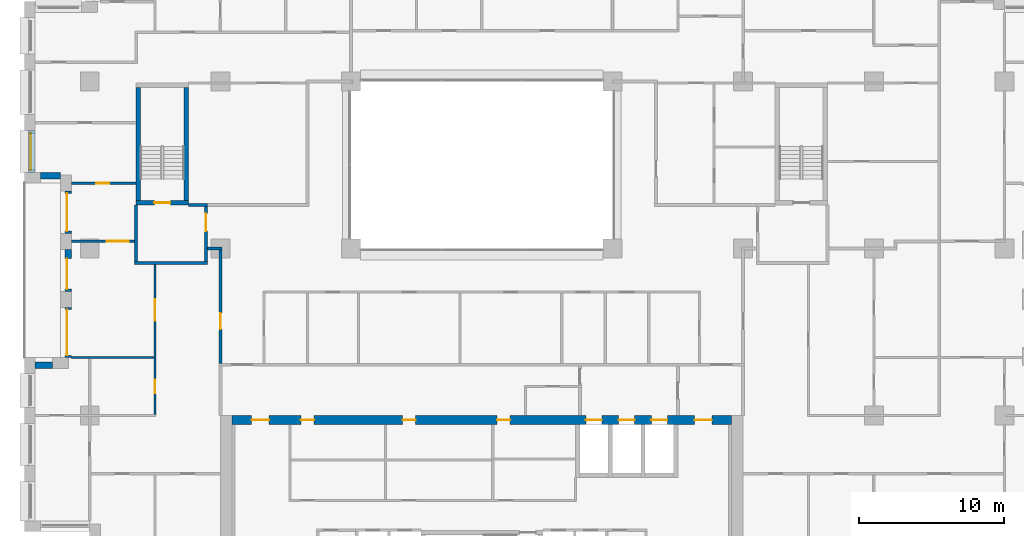
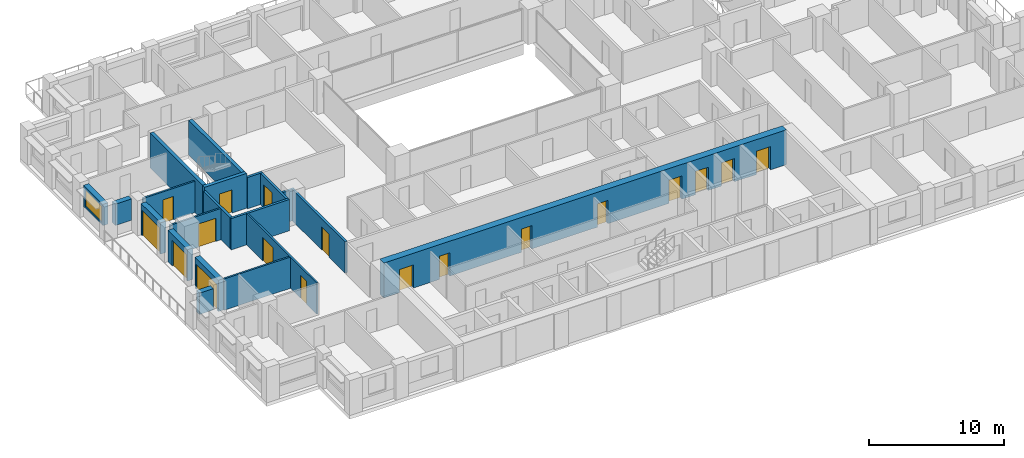
# One storey, part 9 of 16: 20 walls, 18 doors, 1 window, 19 openings.
"""IFC4 building model written with IfcOpenShell, lengths in metres."""

from ifc_helpers import new_model, si_unit, direction, frame, frame_2d, origin, place, context, subcontext, project, spatial, rectangle, extrude, material, layer, layer_set, type_object, element, fill, save


model = new_model("IFC4")

# Units and contexts
model_context = context("Model", 3, precision=1e-05, world=origin(), true_north=direction((0.0, 1.0)))
body_context = subcontext(model_context, "Body", "Model", "MODEL_VIEW")
ifc_project = project(units=[si_unit("LENGTHUNIT", "METRE"), si_unit("AREAUNIT", "SQUARE_METRE"), si_unit("VOLUMEUNIT", "CUBIC_METRE"), si_unit("PLANEANGLEUNIT", "RADIAN"), si_unit("MASSUNIT", "GRAM", prefix="KILO")], contexts=[model_context])

# Site, building, storey
site_placement = place(None, origin())
site = spatial("IfcSite", under=ifc_project, at=site_placement, CompositionType="ELEMENT")
building_placement = place(site_placement, origin())
building = spatial("IfcBuilding", under=site, at=building_placement, Name="Brigalow Station Residences", CompositionType="ELEMENT")
storey_placement = place(building_placement, frame((0.0, 0.0, 124.5)))
storey = spatial("IfcBuildingStorey", under=building, at=storey_placement, Name="L36", CompositionType="ELEMENT", Elevation=124.5)

# Wall, opening, window
ifc_material_1 = material(Name="Clay brick masonry", Category="masonry")
ifc_layer_1 = layer(ifc_material_1, 0.449951171875)
ifc_layer_set_1 = layer_set([ifc_layer_1], Name="BRICK INFILL WALL 450")
wall_type_1 = type_object("IfcWallType", Name="BRICK INFILL WALL 450", PredefinedType="SOLIDWALL", material=ifc_layer_set_1)
wall_1_placement = place(storey_placement, frame((5.02490234375, 32.116943359375, 0.89990234375), z_axis=(0.0, 0.0, 1.0), x_axis=(0.0, -1.0, 0.0)))
wall_1 = element("IfcWall", 1, at=wall_1_placement, inside=storey, type_object=wall_type_1, Name="L36/ewall/W-L36-41", PredefinedType="SOLIDWALL", context=body_context, shape_type="SweptSolid", body=[
    extrude(rectangle(XDim=2.866943359375, YDim=0.449951171875, at=frame_2d((1.43359375, 0.0))), origin(), (0.0, 0.0, 1.0), 1.93017578125),
])
opening_1_placement = place(wall_1_placement, frame((0.18359375, 0.0, 0.14990234375)))
opening_1 = element("IfcOpeningElement", 2, at=opening_1_placement, cuts=wall_1, Name="Opening WT-5", PredefinedType="OPENING", context=body_context, shape_type="SweptSolid", body=[
    extrude(rectangle(XDim=2.5, YDim=1.5, at=frame_2d((1.25, 0.75))), frame((0.0, 0.23486328125, 0.0), z_axis=(0.0, -1.0, 0.0), x_axis=(1.0, 0.0, 0.0)), (0.0, 0.0, 1.0), 0.469970703125),
])
ifc_material_2 = material(Name="Anodised aluminium frame with double glazing", Category="aluminium")
window_type = type_object("IfcWindowType", Name="WINDOW 2500x1500", PartitioningType="SINGLE_PANEL", PredefinedType="WINDOW", material=ifc_material_2)
window_placement = place(opening_1_placement, origin())
window = element("IfcWindow", 3, at=window_placement, inside=storey, type_object=window_type, Name="L36/window/W-L36-41", OverallHeight=1.5, OverallWidth=2.5, PartitioningType="SINGLE_PANEL", PredefinedType="WINDOW", context=body_context, shape_type="SweptSolid", body=[
    extrude(rectangle(XDim=2.5, YDim=1.5, at=frame_2d((1.25, 0.75))), frame((0.0, -0.06494140625, 0.0), z_axis=(0.0, -1.0, 0.0), x_axis=(1.0, 0.0, 0.0)), (0.0, 0.0, 1.0), 0.06005859375),
])
fill(opening_1, window)

# Wall
wall_2_placement = place(storey_placement, frame((5.60009765625, 29.02490234375, 0.89990234375), z_axis=(0.0, 0.0, 1.0), x_axis=(1.0, 0.0, 0.0)))
element("IfcWall", 4, at=wall_2_placement, inside=storey, type_object=wall_type_1, Name="L36/ewall/W-L36-42", PredefinedType="SOLIDWALL", context=body_context, shape_type="SweptSolid", body=[
    extrude(rectangle(XDim=1.39990234375, YDim=0.449951171875, at=frame_2d((0.699951171875, 0.0))), origin(), (0.0, 0.0, 1.0), 1.93017578125),
])

# Wall, opening, door
wall_3_placement = place(storey_placement, frame((7.52490234375, 27.949951171875, 0.0), z_axis=(0.0, 0.0, 1.0), x_axis=(0.0, -1.0, 0.0)))
wall_3 = element("IfcWall", 5, at=wall_3_placement, inside=storey, type_object=wall_type_1, Name="L36/ewall/W-L36-43", PredefinedType="SOLIDWALL", context=body_context, shape_type="SweptSolid", body=[
    extrude(rectangle(XDim=2.89990234375, YDim=0.449951171875, at=frame_2d((1.449951171875, 0.0))), origin(), (0.0, 0.0, 1.0), 2.830078125),
])
opening_2_placement = place(wall_3_placement, frame((0.14990234375, 0.0, 0.0)))
opening_2 = element("IfcOpeningElement", 6, at=opening_2_placement, cuts=wall_3, Name="Opening D-B2600", PredefinedType="OPENING", context=body_context, shape_type="SweptSolid", body=[
    extrude(rectangle(XDim=2.60009765625, YDim=2.300048828125, at=frame_2d((1.300048828125, 1.14990234375))), frame((0.0, 0.23486328125, 0.0), z_axis=(0.0, -1.0, 0.0), x_axis=(1.0, 0.0, 0.0)), (0.0, 0.0, 1.0), 0.469970703125),
])
ifc_material_3 = material(Name="Anodised aluminium frame with double glazing", Category="aluminium")
door_type_1 = type_object("IfcDoorType", Name="BALCONY SLIDING DOOR 2600x2300", OperationType="SLIDING_TO_LEFT", PredefinedType="DOOR", material=ifc_material_3)
door_1_placement = place(opening_2_placement, origin())
door_1 = element("IfcDoor", 7, at=door_1_placement, inside=storey, type_object=door_type_1, Name="L36/balcony-door/W-L36-43", OperationType="SLIDING_TO_LEFT", OverallHeight=2.300048828125, OverallWidth=2.60009765625, PredefinedType="DOOR", context=body_context, shape_type="SweptSolid", body=[
    extrude(rectangle(XDim=2.60009765625, YDim=2.300048828125, at=frame_2d((1.300048828125, 1.14990234375))), frame((0.0, -0.06982421875, 0.0), z_axis=(0.0, -1.0, 0.0), x_axis=(1.0, 0.0, 0.0)), (0.0, 0.0, 1.0), 0.050048828125),
])
fill(opening_2, door_1)

wall_4_placement = place(storey_placement, frame((7.52490234375, 23.949951171875, 0.0), z_axis=(0.0, 0.0, 1.0), x_axis=(0.0, -1.0, 0.0)))
wall_4 = element("IfcWall", 8, at=wall_4_placement, inside=storey, type_object=wall_type_1, Name="L36/ewall/W-L36-44", PredefinedType="SOLIDWALL", context=body_context, shape_type="SweptSolid", body=[
    extrude(rectangle(XDim=2.89990234375, YDim=0.449951171875, at=frame_2d((1.449951171875, 0.0))), origin(), (0.0, 0.0, 1.0), 2.830078125),
])
opening_3_placement = place(wall_4_placement, frame((0.635009765625, 0.0, 0.0)))
opening_3 = element("IfcOpeningElement", 9, at=opening_3_placement, cuts=wall_4, Name="Opening D-B2100", PredefinedType="OPENING", context=body_context, shape_type="SweptSolid", body=[
    extrude(rectangle(XDim=2.10009765625, YDim=2.300048828125, at=frame_2d((1.050048828125, 1.14990234375))), frame((0.0, 0.23486328125, 0.0), z_axis=(0.0, -1.0, 0.0), x_axis=(1.0, 0.0, 0.0)), (0.0, 0.0, 1.0), 0.469970703125),
])
ifc_material_4 = material(Name="Anodised aluminium frame with double glazing", Category="aluminium")
door_type_2 = type_object("IfcDoorType", Name="BALCONY SLIDING DOOR 2100x2300", OperationType="SLIDING_TO_LEFT", PredefinedType="DOOR", material=ifc_material_4)
door_2_placement = place(opening_3_placement, origin())
door_2 = element("IfcDoor", 10, at=door_2_placement, inside=storey, type_object=door_type_2, Name="L36/balcony-door/W-L36-44", OperationType="SLIDING_TO_LEFT", OverallHeight=2.300048828125, OverallWidth=2.10009765625, PredefinedType="DOOR", context=body_context, shape_type="SweptSolid", body=[
    extrude(rectangle(XDim=2.10009765625, YDim=2.300048828125, at=frame_2d((1.050048828125, 1.14990234375))), frame((0.0, -0.06982421875, 0.0), z_axis=(0.0, -1.0, 0.0), x_axis=(1.0, 0.0, 0.0)), (0.0, 0.0, 1.0), 0.050048828125),
])
fill(opening_3, door_2)

wall_5_placement = place(storey_placement, frame((7.52490234375, 19.949951171875, 0.0), z_axis=(0.0, 0.0, 1.0), x_axis=(0.0, -1.0, 0.0)))
wall_5 = element("IfcWall", 11, at=wall_5_placement, inside=storey, type_object=wall_type_1, Name="L36/ewall/W-L36-45", PredefinedType="SOLIDWALL", context=body_context, shape_type="SweptSolid", body=[
    extrude(rectangle(XDim=3.449951171875, YDim=0.449951171875, at=frame_2d((1.72509765625, 0.0))), origin(), (0.0, 0.0, 1.0), 2.830078125),
])
opening_4_placement = place(wall_5_placement, frame((0.14990234375, 0.0, 0.0)))
opening_4 = element("IfcOpeningElement", 12, at=opening_4_placement, cuts=wall_5, Name="Opening D-B3150", PredefinedType="OPENING", context=body_context, shape_type="SweptSolid", body=[
    extrude(rectangle(XDim=3.14990234375, YDim=2.300048828125, at=frame_2d((1.574951171875, 1.14990234375))), frame((0.0, 0.23486328125, 0.0), z_axis=(0.0, -1.0, 0.0), x_axis=(1.0, 0.0, 0.0)), (0.0, 0.0, 1.0), 0.469970703125),
])
ifc_material_5 = material(Name="Anodised aluminium frame with double glazing", Category="aluminium")
door_type_3 = type_object("IfcDoorType", Name="BALCONY SLIDING DOOR 3150x2300", OperationType="SLIDING_TO_LEFT", PredefinedType="DOOR", material=ifc_material_5)
door_3_placement = place(opening_4_placement, origin())
door_3 = element("IfcDoor", 13, at=door_3_placement, inside=storey, type_object=door_type_3, Name="L36/balcony-door/W-L36-45", OperationType="SLIDING_TO_LEFT", OverallHeight=2.300048828125, OverallWidth=3.14990234375, PredefinedType="DOOR", context=body_context, shape_type="SweptSolid", body=[
    extrude(rectangle(XDim=3.14990234375, YDim=2.300048828125, at=frame_2d((1.574951171875, 1.14990234375))), frame((0.0, -0.06982421875, 0.0), z_axis=(0.0, -1.0, 0.0), x_axis=(1.0, 0.0, 0.0)), (0.0, 0.0, 1.0), 0.050048828125),
])
fill(opening_4, door_3)

# Wall
wall_6_placement = place(storey_placement, frame((6.449951171875, 15.97509765625, 0.89990234375), z_axis=(0.0, 0.0, 1.0), x_axis=(-1.0, 0.0, 0.0)))
element("IfcWall", 14, at=wall_6_placement, inside=storey, type_object=wall_type_1, Name="L36/ewall/W-L36-46", PredefinedType="SOLIDWALL", context=body_context, shape_type="SweptSolid", body=[
    extrude(rectangle(XDim=1.199951171875, YDim=0.449951171875, at=frame_2d((0.60009765625, 0.0))), origin(), (0.0, 0.0, 1.0), 1.93017578125),
])

# Wall, opening, door
ifc_material_6 = material(Name="Concrete C65", Category="concrete")
ifc_layer_2 = layer(ifc_material_6, 0.300048828125)
ifc_layer_set_2 = layer_set([ifc_layer_2], Name="CORE SHEAR WALL 300 C65")
wall_type_2 = type_object("IfcWallType", Name="CORE SHEAR WALL 300 C65", PredefinedType="SHEAR", material=ifc_layer_set_2)
wall_7_placement = place(storey_placement, frame((12.199951171875, 27.14990234375, 0.0), z_axis=(0.0, 0.0, 1.0), x_axis=(1.0, 0.0, 0.0)))
wall_7 = element("IfcWall", 15, at=wall_7_placement, inside=storey, type_object=wall_type_2, Name="CORE WALL ST-S1-S L36", PredefinedType="SHEAR", context=body_context, shape_type="SweptSolid", body=[
    extrude(rectangle(XDim=3.60009765625, YDim=0.300048828125, at=frame_2d((1.800048828125, 0.0))), origin(), (0.0, 0.0, 1.0), 3.14990234375),
])
opening_5_placement = place(wall_7_placement, frame((1.25, 0.0, 0.0)))
opening_5 = element("IfcOpeningElement", 16, at=opening_5_placement, cuts=wall_7, Name="Opening D-5015", PredefinedType="OPENING", context=body_context, shape_type="SweptSolid", body=[
    extrude(rectangle(XDim=1.10009765625, YDim=2.10009765625, at=frame_2d((0.550048828125, 1.050048828125))), frame((0.0, 0.16015625, 0.0), z_axis=(0.0, -1.0, 0.0), x_axis=(1.0, 0.0, 0.0)), (0.0, 0.0, 1.0), 0.320068359375),
])
ifc_material_7 = material(Name="Steel fire door leaf in steel frame", Category="steel")
door_type_4 = type_object("IfcDoorType", Name="STAIR DOOR 1100 x 2100 FD60S", OperationType="SINGLE_SWING_LEFT", PredefinedType="DOOR", material=ifc_material_7)
door_4_placement = place(opening_5_placement, origin())
door_4 = element("IfcDoor", 17, at=door_4_placement, inside=storey, type_object=door_type_4, Name="D-5015", OperationType="SINGLE_SWING_LEFT", OverallHeight=2.10009765625, OverallWidth=1.10009765625, PredefinedType="DOOR", context=body_context, shape_type="SweptSolid", body=[
    extrude(rectangle(XDim=1.10009765625, YDim=2.10009765625, at=frame_2d((0.550048828125, 1.050048828125))), frame((0.0, 0.02490234375, 0.0), z_axis=(0.0, -1.0, 0.0), x_axis=(1.0, 0.0, 0.0)), (0.0, 0.0, 1.0), 0.050048828125),
])
fill(opening_5, door_4)

# Walls
for number, where, z_axis, x_axis, name in (
    (18, (12.35009765625, 27.300048828125, 0.0), (0.0, 0.0, 1.0), (0.0, 1.0, 0.0), "CORE WALL ST-S1-W L36"),
    (19, (15.64990234375, 27.300048828125, 0.0), (0.0, 0.0, 1.0), (0.0, 1.0, 0.0), "CORE WALL ST-S1-E L36"),
):
    element("IfcWall", number, at=place(storey_placement, frame(where, z_axis=z_axis, x_axis=x_axis)), inside=storey, type_object=wall_type_2, Name=name, PredefinedType="SHEAR", context=body_context, shape_type="SweptSolid", body=[
        extrude(rectangle(XDim=7.800048828125, YDim=0.300048828125, at=frame_2d((3.89990234375, 0.0))), origin(), (0.0, 0.0, 1.0), 3.14990234375),
    ])

# Wall, openings, doors
ifc_material_8 = material(Name="Concrete C65", Category="concrete")
ifc_layer_3 = layer(ifc_material_8, 0.60009765625)
ifc_layer_set_3 = layer_set([ifc_layer_3], Name="CORE SHEAR WALL 600 C65")
wall_type_3 = type_object("IfcWallType", Name="CORE SHEAR WALL 600 C65", PredefinedType="SHEAR", material=ifc_layer_set_3)
wall_8_placement = place(storey_placement, frame((18.800048828125, 12.199951171875, 0.0), z_axis=(0.0, 0.0, 1.0), x_axis=(1.0, 0.0, 0.0)))
wall_8 = element("IfcWall", 20, at=wall_8_placement, inside=storey, type_object=wall_type_3, Name="CORE WALL OUT-N L36", PredefinedType="SHEAR", context=body_context, shape_type="SweptSolid", body=[
    extrude(rectangle(XDim=34.39990234375, YDim=0.60009765625, at=frame_2d((17.199951171875, 0.0))), origin(), (0.0, 0.0, 1.0), 3.14990234375),
])
opening_6_placement = place(wall_8_placement, frame((24.375, 0.0, 0.0)))
opening_6 = element("IfcOpeningElement", 21, at=opening_6_placement, cuts=wall_8, Name="Opening LD-LF1", PredefinedType="OPENING", context=body_context, shape_type="SweptSolid", body=[
    extrude(rectangle(XDim=1.10009765625, YDim=2.10009765625, at=frame_2d((0.550048828125, 1.050048828125))), frame((0.0, 0.31005859375, 0.0), z_axis=(0.0, -1.0, 0.0), x_axis=(1.0, 0.0, 0.0)), (0.0, 0.0, 1.0), 0.6201171875),
])
opening_7_placement = place(wall_8_placement, frame((26.625, 0.0, 0.0)))
opening_7 = element("IfcOpeningElement", 22, at=opening_7_placement, cuts=wall_8, Name="Opening LD-LF2", PredefinedType="OPENING", context=body_context, shape_type="SweptSolid", body=[
    extrude(rectangle(XDim=1.10009765625, YDim=2.10009765625, at=frame_2d((0.550048828125, 1.050048828125))), frame((0.0, 0.31005859375, 0.0), z_axis=(0.0, -1.0, 0.0), x_axis=(1.0, 0.0, 0.0)), (0.0, 0.0, 1.0), 0.6201171875),
])
opening_8_placement = place(wall_8_placement, frame((28.875, 0.0, 0.0)))
opening_8 = element("IfcOpeningElement", 23, at=opening_8_placement, cuts=wall_8, Name="Opening LD-LG1", PredefinedType="OPENING", context=body_context, shape_type="SweptSolid", body=[
    extrude(rectangle(XDim=1.10009765625, YDim=2.10009765625, at=frame_2d((0.550048828125, 1.050048828125))), frame((0.0, 0.31005859375, 0.0), z_axis=(0.0, -1.0, 0.0), x_axis=(1.0, 0.0, 0.0)), (0.0, 0.0, 1.0), 0.6201171875),
])
opening_9_placement = place(wall_8_placement, frame((4.75, 0.0, 0.0)))
opening_9 = element("IfcOpeningElement", 24, at=opening_9_placement, cuts=wall_8, Name="Opening D-5118", PredefinedType="OPENING", context=body_context, shape_type="SweptSolid", body=[
    extrude(rectangle(XDim=0.89990234375, YDim=2.10009765625, at=frame_2d((0.449951171875, 1.050048828125))), frame((0.0, 0.31005859375, 0.0), z_axis=(0.0, -1.0, 0.0), x_axis=(1.0, 0.0, 0.0)), (0.0, 0.0, 1.0), 0.6201171875),
])
opening_10_placement = place(wall_8_placement, frame((11.75, 0.0, 0.0)))
opening_10 = element("IfcOpeningElement", 25, at=opening_10_placement, cuts=wall_8, Name="Opening D-5122", PredefinedType="OPENING", context=body_context, shape_type="SweptSolid", body=[
    extrude(rectangle(XDim=0.89990234375, YDim=2.10009765625, at=frame_2d((0.449951171875, 1.050048828125))), frame((0.0, 0.31005859375, 0.0), z_axis=(0.0, -1.0, 0.0), x_axis=(1.0, 0.0, 0.0)), (0.0, 0.0, 1.0), 0.6201171875),
])
opening_11_placement = place(wall_8_placement, frame((18.25, 0.0, 0.0)))
opening_11 = element("IfcOpeningElement", 26, at=opening_11_placement, cuts=wall_8, Name="Opening D-5119", PredefinedType="OPENING", context=body_context, shape_type="SweptSolid", body=[
    extrude(rectangle(XDim=0.89990234375, YDim=2.10009765625, at=frame_2d((0.449951171875, 1.050048828125))), frame((0.0, 0.31005859375, 0.0), z_axis=(0.0, -1.0, 0.0), x_axis=(1.0, 0.0, 0.0)), (0.0, 0.0, 1.0), 0.6201171875),
])
opening_12_placement = place(wall_8_placement, frame((1.35009765625, 0.0, 0.0)))
opening_12 = element("IfcOpeningElement", 27, at=opening_12_placement, cuts=wall_8, Name="Opening D-5011", PredefinedType="OPENING", context=body_context, shape_type="SweptSolid", body=[
    extrude(rectangle(XDim=1.199951171875, YDim=2.10009765625, at=frame_2d((0.60009765625, 1.050048828125))), frame((0.0, 0.31005859375, 0.0), z_axis=(0.0, -1.0, 0.0), x_axis=(1.0, 0.0, 0.0)), (0.0, 0.0, 1.0), 0.6201171875),
])
opening_13_placement = place(wall_8_placement, frame((31.85009765625, 0.0, 0.0)))
opening_13 = element("IfcOpeningElement", 28, at=opening_13_placement, cuts=wall_8, Name="Opening D-5012", PredefinedType="OPENING", context=body_context, shape_type="SweptSolid", body=[
    extrude(rectangle(XDim=1.199951171875, YDim=2.10009765625, at=frame_2d((0.60009765625, 1.050048828125))), frame((0.0, 0.31005859375, 0.0), z_axis=(0.0, -1.0, 0.0), x_axis=(1.0, 0.0, 0.0)), (0.0, 0.0, 1.0), 0.6201171875),
])
ifc_material_9 = material(Name="Steel fire door leaf in steel frame", Category="steel")
door_type_5 = type_object("IfcDoorType", Name="CORE CORRIDOR DOOR 1200 x 2100 FD60S", OperationType="SINGLE_SWING_LEFT", PredefinedType="DOOR", material=ifc_material_9)
door_5_placement = place(opening_12_placement, frame((1.199951171875, 0.0, 0.0), z_axis=(0.0, 0.0, 1.0), x_axis=(-1.0, 0.0, 0.0)))
door_5 = element("IfcDoor", 29, at=door_5_placement, inside=storey, type_object=door_type_5, Name="D-5011", OperationType="SINGLE_SWING_LEFT", OverallHeight=2.10009765625, OverallWidth=1.199951171875, PredefinedType="DOOR", context=body_context, shape_type="SweptSolid", body=[
    extrude(rectangle(XDim=1.199951171875, YDim=2.10009765625, at=frame_2d((0.60009765625, 1.050048828125))), frame((0.0, 0.02490234375, 0.0), z_axis=(0.0, -1.0, 0.0), x_axis=(1.0, 0.0, 0.0)), (0.0, 0.0, 1.0), 0.050048828125),
])
fill(opening_12, door_5)
door_6_placement = place(opening_13_placement, frame((1.199951171875, 0.0, 0.0), z_axis=(0.0, 0.0, 1.0), x_axis=(-1.0, 0.0, 0.0)))
door_6 = element("IfcDoor", 30, at=door_6_placement, inside=storey, type_object=door_type_5, Name="D-5012", OperationType="SINGLE_SWING_LEFT", OverallHeight=2.10009765625, OverallWidth=1.199951171875, PredefinedType="DOOR", context=body_context, shape_type="SweptSolid", body=[
    extrude(rectangle(XDim=1.199951171875, YDim=2.10009765625, at=frame_2d((0.60009765625, 1.050048828125))), frame((0.0, 0.02490234375, 0.0), z_axis=(0.0, -1.0, 0.0), x_axis=(1.0, 0.0, 0.0)), (0.0, 0.0, 1.0), 0.050048828125),
])
fill(opening_13, door_6)
ifc_material_10 = material(Name="Stainless steel sliding door leaves", Category="steel")
door_type_6 = type_object("IfcDoorType", Name="LIFT LANDING DOOR 1100 x 2100", OperationType="DOUBLE_DOOR_SLIDING", PredefinedType="DOOR", material=ifc_material_10)
door_7_placement = place(opening_6_placement, origin())
door_7 = element("IfcDoor", 31, at=door_7_placement, inside=storey, type_object=door_type_6, Name="LANDING DOOR LF1", OperationType="DOUBLE_DOOR_SLIDING", OverallHeight=2.10009765625, OverallWidth=1.10009765625, PredefinedType="DOOR", context=body_context, shape_type="SweptSolid", body=[
    extrude(rectangle(XDim=1.10009765625, YDim=2.10009765625, at=frame_2d((0.550048828125, 1.050048828125))), frame((0.0, 0.02490234375, 0.0), z_axis=(0.0, -1.0, 0.0), x_axis=(1.0, 0.0, 0.0)), (0.0, 0.0, 1.0), 0.050048828125),
])
fill(opening_6, door_7)
door_8_placement = place(opening_7_placement, origin())
door_8 = element("IfcDoor", 32, at=door_8_placement, inside=storey, type_object=door_type_6, Name="LANDING DOOR LF2", OperationType="DOUBLE_DOOR_SLIDING", OverallHeight=2.10009765625, OverallWidth=1.10009765625, PredefinedType="DOOR", context=body_context, shape_type="SweptSolid", body=[
    extrude(rectangle(XDim=1.10009765625, YDim=2.10009765625, at=frame_2d((0.550048828125, 1.050048828125))), frame((0.0, 0.02490234375, 0.0), z_axis=(0.0, -1.0, 0.0), x_axis=(1.0, 0.0, 0.0)), (0.0, 0.0, 1.0), 0.050048828125),
])
fill(opening_7, door_8)
door_9_placement = place(opening_8_placement, origin())
door_9 = element("IfcDoor", 33, at=door_9_placement, inside=storey, type_object=door_type_6, Name="LANDING DOOR LG1", OperationType="DOUBLE_DOOR_SLIDING", OverallHeight=2.10009765625, OverallWidth=1.10009765625, PredefinedType="DOOR", context=body_context, shape_type="SweptSolid", body=[
    extrude(rectangle(XDim=1.10009765625, YDim=2.10009765625, at=frame_2d((0.550048828125, 1.050048828125))), frame((0.0, 0.02490234375, 0.0), z_axis=(0.0, -1.0, 0.0), x_axis=(1.0, 0.0, 0.0)), (0.0, 0.0, 1.0), 0.050048828125),
])
fill(opening_8, door_9)
ifc_material_11 = material(Name="Steel door leaf in steel frame", Category="steel")
door_type_7 = type_object("IfcDoorType", Name="SERVICE ROOM DOOR 900 x 2100 FD60", OperationType="SINGLE_SWING_LEFT", PredefinedType="DOOR", material=ifc_material_11)
door_10_placement = place(opening_9_placement, frame((0.89990234375, 0.0, 0.0), z_axis=(0.0, 0.0, 1.0), x_axis=(-1.0, 0.0, 0.0)))
door_10 = element("IfcDoor", 34, at=door_10_placement, inside=storey, type_object=door_type_7, Name="D-5118", OperationType="SINGLE_SWING_RIGHT", OverallHeight=2.10009765625, OverallWidth=0.89990234375, PredefinedType="DOOR", context=body_context, shape_type="SweptSolid", body=[
    extrude(rectangle(XDim=0.89990234375, YDim=2.10009765625, at=frame_2d((0.449951171875, 1.050048828125))), frame((0.0, 0.02490234375, 0.0), z_axis=(0.0, -1.0, 0.0), x_axis=(1.0, 0.0, 0.0)), (0.0, 0.0, 1.0), 0.050048828125),
])
fill(opening_9, door_10)
door_11_placement = place(opening_10_placement, frame((0.89990234375, 0.0, 0.0), z_axis=(0.0, 0.0, 1.0), x_axis=(-1.0, 0.0, 0.0)))
door_11 = element("IfcDoor", 35, at=door_11_placement, inside=storey, type_object=door_type_7, Name="D-5122", OperationType="SINGLE_SWING_RIGHT", OverallHeight=2.10009765625, OverallWidth=0.89990234375, PredefinedType="DOOR", context=body_context, shape_type="SweptSolid", body=[
    extrude(rectangle(XDim=0.89990234375, YDim=2.10009765625, at=frame_2d((0.449951171875, 1.050048828125))), frame((0.0, 0.02490234375, 0.0), z_axis=(0.0, -1.0, 0.0), x_axis=(1.0, 0.0, 0.0)), (0.0, 0.0, 1.0), 0.050048828125),
])
fill(opening_10, door_11)
door_12_placement = place(opening_11_placement, frame((0.89990234375, 0.0, 0.0), z_axis=(0.0, 0.0, 1.0), x_axis=(-1.0, 0.0, 0.0)))
door_12 = element("IfcDoor", 36, at=door_12_placement, inside=storey, type_object=door_type_7, Name="D-5119", OperationType="SINGLE_SWING_RIGHT", OverallHeight=2.10009765625, OverallWidth=0.89990234375, PredefinedType="DOOR", context=body_context, shape_type="SweptSolid", body=[
    extrude(rectangle(XDim=0.89990234375, YDim=2.10009765625, at=frame_2d((0.449951171875, 1.050048828125))), frame((0.0, 0.02490234375, 0.0), z_axis=(0.0, -1.0, 0.0), x_axis=(1.0, 0.0, 0.0)), (0.0, 0.0, 1.0), 0.050048828125),
])
fill(opening_11, door_12)

# Walls
ifc_material_12 = material(Name="Concrete blockwork", Category="masonry")
ifc_layer_4 = layer(ifc_material_12, 0.199951171875)
ifc_layer_set_4 = layer_set([ifc_layer_4], Name="FIRE RATED CORE PARTITION 200")
wall_type_4 = type_object("IfcWallType", Name="FIRE RATED CORE PARTITION 200", PredefinedType="PARTITIONING", material=ifc_layer_set_4)
wall_9_placement = place(storey_placement, frame((12.10009765625, 23.0, 0.0), z_axis=(0.0, 0.0, 1.0), x_axis=(1.0, 0.0, 0.0)))
element("IfcWall", 37, at=wall_9_placement, inside=storey, type_object=wall_type_4, Name="PW-5023", PredefinedType="PARTITIONING", context=body_context, shape_type="SweptSolid", body=[
    extrude(rectangle(XDim=5.0, YDim=0.199951171875, at=frame_2d((2.5, 0.0))), origin(), (0.0, 0.0, 1.0), 2.830078125),
])
wall_10_placement = place(storey_placement, frame((15.800048828125, 27.0, 0.0), z_axis=(0.0, 0.0, 1.0), x_axis=(1.0, 0.0, 0.0)))
element("IfcWall", 38, at=wall_10_placement, inside=storey, type_object=wall_type_4, Name="PW-5025", PredefinedType="PARTITIONING", context=body_context, shape_type="SweptSolid", body=[
    extrude(rectangle(XDim=1.300048828125, YDim=0.199951171875, at=frame_2d((0.64990234375, 0.0))), origin(), (0.0, 0.0, 1.0), 2.830078125),
])
wall_11_placement = place(storey_placement, frame((12.199951171875, 23.10009765625, 0.0), z_axis=(0.0, 0.0, 1.0), x_axis=(0.0, 1.0, 0.0)))
element("IfcWall", 39, at=wall_11_placement, inside=storey, type_object=wall_type_4, Name="PW-5034", PredefinedType="PARTITIONING", context=body_context, shape_type="SweptSolid", body=[
    extrude(rectangle(XDim=3.89990234375, YDim=0.199951171875, at=frame_2d((1.949951171875, 0.0))), origin(), (0.0, 0.0, 1.0), 2.830078125),
])

# Wall, opening, door
wall_12_placement = place(storey_placement, frame((17.0, 23.10009765625, 0.0), z_axis=(0.0, 0.0, 1.0), x_axis=(0.0, 1.0, 0.0)))
wall_12 = element("IfcWall", 40, at=wall_12_placement, inside=storey, type_object=wall_type_4, Name="PW-5035", PredefinedType="PARTITIONING", context=body_context, shape_type="SweptSolid", body=[
    extrude(rectangle(XDim=3.7998046875, YDim=0.199951171875, at=frame_2d((1.89990234375, 0.0))), origin(), (0.0, 0.0, 1.0), 2.830078125),
])
opening_14_placement = place(wall_12_placement, frame((2.10009765625, 0.0, 0.0)))
opening_14 = element("IfcOpeningElement", 41, at=opening_14_placement, cuts=wall_12, Name="Opening D-5016", PredefinedType="OPENING", context=body_context, shape_type="SweptSolid", body=[
    extrude(rectangle(XDim=1.199951171875, YDim=2.10009765625, at=frame_2d((0.60009765625, 1.050048828125))), frame((0.0, 0.10986328125, 0.0), z_axis=(0.0, -1.0, 0.0), x_axis=(1.0, 0.0, 0.0)), (0.0, 0.0, 1.0), 0.219970703125),
])
ifc_material_13 = material(Name="Steel fire door leaf in steel frame", Category="steel")
door_type_8 = type_object("IfcDoorType", Name="STAIR LOBBY DOOR 1200 x 2100 FD60S", OperationType="SINGLE_SWING_LEFT", PredefinedType="DOOR", material=ifc_material_13)
door_13_placement = place(opening_14_placement, origin())
door_13 = element("IfcDoor", 42, at=door_13_placement, inside=storey, type_object=door_type_8, Name="D-5016", OperationType="SINGLE_SWING_RIGHT", OverallHeight=2.10009765625, OverallWidth=1.199951171875, PredefinedType="DOOR", context=body_context, shape_type="SweptSolid", body=[
    extrude(rectangle(XDim=1.199951171875, YDim=2.10009765625, at=frame_2d((0.60009765625, 1.050048828125))), frame((0.0, 0.02490234375, 0.0), z_axis=(0.0, -1.0, 0.0), x_axis=(1.0, 0.0, 0.0)), (0.0, 0.0, 1.0), 0.050048828125),
])
fill(opening_14, door_13)

# Wall
ifc_material_14 = material(Name="Plasterboard on steel stud partition", Category="steel")
ifc_layer_5 = layer(ifc_material_14, 0.14990234375)
ifc_layer_set_5 = layer_set([ifc_layer_5], Name="FLAT PARTITION 150")
wall_type_5 = type_object("IfcWallType", Name="FLAT PARTITION 150", PredefinedType="PARTITIONING", material=ifc_layer_set_5)
wall_13_placement = place(storey_placement, frame((7.75, 16.5, 0.0), z_axis=(0.0, 0.0, 1.0), x_axis=(1.0, 0.0, 0.0)))
element("IfcWall", 43, at=wall_13_placement, inside=storey, type_object=wall_type_5, Name="PW-2F13", PredefinedType="PARTITIONING", context=body_context, shape_type="SweptSolid", body=[
    extrude(rectangle(XDim=5.675048828125, YDim=0.14990234375, at=frame_2d((2.83740234375, 0.0))), origin(), (0.0, 0.0, 1.0), 2.830078125),
])

# Wall, opening, door
wall_14_placement = place(storey_placement, frame((7.75, 24.5, 0.0), z_axis=(0.0, 0.0, 1.0), x_axis=(1.0, 0.0, 0.0)))
wall_14 = element("IfcWall", 44, at=wall_14_placement, inside=storey, type_object=wall_type_5, Name="PW-2F17", PredefinedType="PARTITIONING", context=body_context, shape_type="SweptSolid", body=[
    extrude(rectangle(XDim=4.35009765625, YDim=0.14990234375, at=frame_2d((2.175048828125, 0.0))), origin(), (0.0, 0.0, 1.0), 2.830078125),
])
opening_15_placement = place(wall_14_placement, frame((2.425048828125, 0.0, 0.0)))
opening_15 = element("IfcOpeningElement", 45, at=opening_15_placement, cuts=wall_14, Name="Opening D-2F10", PredefinedType="OPENING", context=body_context, shape_type="SweptSolid", body=[
    extrude(rectangle(XDim=1.5, YDim=2.10009765625, at=frame_2d((0.75, 1.050048828125))), frame((0.0, 0.0849609375, 0.0), z_axis=(0.0, -1.0, 0.0), x_axis=(1.0, 0.0, 0.0)), (0.0, 0.0, 1.0), 0.169921875),
])
ifc_material_15 = material(Name="Solid-core timber door leaf", Category="wood")
door_type_9 = type_object("IfcDoorType", Name="INTERNAL DOUBLE DOOR 1500 x 2100", OperationType="DOUBLE_DOOR_SINGLE_SWING", PredefinedType="DOOR", material=ifc_material_15)
door_14_placement = place(opening_15_placement, origin())
door_14 = element("IfcDoor", 46, at=door_14_placement, inside=storey, type_object=door_type_9, Name="D-2F10", OperationType="DOUBLE_DOOR_SINGLE_SWING", OverallHeight=2.10009765625, OverallWidth=1.5, PredefinedType="DOOR", context=body_context, shape_type="SweptSolid", body=[
    extrude(rectangle(XDim=1.5, YDim=2.10009765625, at=frame_2d((0.75, 1.050048828125))), frame((0.0, 0.02490234375, 0.0), z_axis=(0.0, -1.0, 0.0), x_axis=(1.0, 0.0, 0.0)), (0.0, 0.0, 1.0), 0.050048828125),
])
fill(opening_15, door_14)

wall_15_placement = place(storey_placement, frame((7.75, 28.5, 0.0), z_axis=(0.0, 0.0, 1.0), x_axis=(1.0, 0.0, 0.0)))
wall_15 = element("IfcWall", 47, at=wall_15_placement, inside=storey, type_object=wall_type_5, Name="PW-2F20", PredefinedType="PARTITIONING", context=body_context, shape_type="SweptSolid", body=[
    extrude(rectangle(XDim=4.449951171875, YDim=0.14990234375, at=frame_2d((2.22509765625, 0.0))), origin(), (0.0, 0.0, 1.0), 2.830078125),
])
opening_16_placement = place(wall_15_placement, frame((1.699951171875, 0.0, 0.0)))
opening_16 = element("IfcOpeningElement", 48, at=opening_16_placement, cuts=wall_15, Name="Opening D-2F11", PredefinedType="OPENING", context=body_context, shape_type="SweptSolid", body=[
    extrude(rectangle(XDim=0.89990234375, YDim=2.10009765625, at=frame_2d((0.449951171875, 1.050048828125))), frame((0.0, 0.0849609375, 0.0), z_axis=(0.0, -1.0, 0.0), x_axis=(1.0, 0.0, 0.0)), (0.0, 0.0, 1.0), 0.169921875),
])
ifc_material_16 = material(Name="Solid-core timber door leaf", Category="wood")
door_type_10 = type_object("IfcDoorType", Name="INTERNAL DOOR 900 x 2100", OperationType="SINGLE_SWING_LEFT", PredefinedType="DOOR", material=ifc_material_16)
door_15_placement = place(opening_16_placement, frame((0.89990234375, 0.0, 0.0), z_axis=(0.0, 0.0, 1.0), x_axis=(-1.0, 0.0, 0.0)))
door_15 = element("IfcDoor", 49, at=door_15_placement, inside=storey, type_object=door_type_10, Name="D-2F11", OperationType="SINGLE_SWING_RIGHT", OverallHeight=2.10009765625, OverallWidth=0.89990234375, PredefinedType="DOOR", context=body_context, shape_type="SweptSolid", body=[
    extrude(rectangle(XDim=0.89990234375, YDim=2.10009765625, at=frame_2d((0.449951171875, 1.050048828125))), frame((0.0, 0.02490234375, 0.0), z_axis=(0.0, -1.0, 0.0), x_axis=(1.0, 0.0, 0.0)), (0.0, 0.0, 1.0), 0.050048828125),
])
fill(opening_16, door_15)

# Wall, openings, doors
wall_16_placement = place(storey_placement, frame((13.5, 12.574951171875, 0.0), z_axis=(0.0, 0.0, 1.0), x_axis=(0.0, 1.0, 0.0)))
wall_16 = element("IfcWall", 50, at=wall_16_placement, inside=storey, type_object=wall_type_5, Name="PW-2F51", PredefinedType="PARTITIONING", context=body_context, shape_type="SweptSolid", body=[
    extrude(rectangle(XDim=10.324951171875, YDim=0.14990234375, at=frame_2d((5.16259765625, 0.0))), origin(), (0.0, 0.0, 1.0), 2.830078125),
])
opening_17_placement = place(wall_16_placement, frame((1.47509765625, 0.0, 0.0)))
opening_17 = element("IfcOpeningElement", 51, at=opening_17_placement, cuts=wall_16, Name="Opening D-2F08", PredefinedType="OPENING", context=body_context, shape_type="SweptSolid", body=[
    extrude(rectangle(XDim=0.89990234375, YDim=2.10009765625, at=frame_2d((0.449951171875, 1.050048828125))), frame((0.0, 0.0849609375, 0.0), z_axis=(0.0, -1.0, 0.0), x_axis=(1.0, 0.0, 0.0)), (0.0, 0.0, 1.0), 0.169921875),
])
opening_18_placement = place(wall_16_placement, frame((6.449951171875, 0.0, 0.0)))
opening_18 = element("IfcOpeningElement", 52, at=opening_18_placement, cuts=wall_16, Name="Opening D-2F09", PredefinedType="OPENING", context=body_context, shape_type="SweptSolid", body=[
    extrude(rectangle(XDim=1.5, YDim=2.10009765625, at=frame_2d((0.75, 1.050048828125))), frame((0.0, 0.0849609375, 0.0), z_axis=(0.0, -1.0, 0.0), x_axis=(1.0, 0.0, 0.0)), (0.0, 0.0, 1.0), 0.169921875),
])
door_16_placement = place(opening_17_placement, origin())
door_16 = element("IfcDoor", 53, at=door_16_placement, inside=storey, type_object=door_type_10, Name="D-2F08", OperationType="SINGLE_SWING_RIGHT", OverallHeight=2.10009765625, OverallWidth=0.89990234375, PredefinedType="DOOR", context=body_context, shape_type="SweptSolid", body=[
    extrude(rectangle(XDim=0.89990234375, YDim=2.10009765625, at=frame_2d((0.449951171875, 1.050048828125))), frame((0.0, 0.02490234375, 0.0), z_axis=(0.0, -1.0, 0.0), x_axis=(1.0, 0.0, 0.0)), (0.0, 0.0, 1.0), 0.050048828125),
])
fill(opening_17, door_16)
door_17_placement = place(opening_18_placement, origin())
door_17 = element("IfcDoor", 54, at=door_17_placement, inside=storey, type_object=door_type_9, Name="D-2F09", OperationType="DOUBLE_DOOR_SINGLE_SWING", OverallHeight=2.10009765625, OverallWidth=1.5, PredefinedType="DOOR", context=body_context, shape_type="SweptSolid", body=[
    extrude(rectangle(XDim=1.5, YDim=2.10009765625, at=frame_2d((0.75, 1.050048828125))), frame((0.0, 0.02490234375, 0.0), z_axis=(0.0, -1.0, 0.0), x_axis=(1.0, 0.0, 0.0)), (0.0, 0.0, 1.0), 0.050048828125),
])
fill(opening_18, door_17)

# Wall
ifc_material_17 = material(Name="Plasterboard on steel stud partition", Category="steel")
ifc_layer_6 = layer(ifc_material_17, 0.199951171875)
ifc_layer_set_6 = layer_set([ifc_layer_6], Name="PARTY AND CORRIDOR WALL 200")
wall_type_6 = type_object("IfcWallType", Name="PARTY AND CORRIDOR WALL 200", PredefinedType="PARTITIONING", material=ifc_layer_set_6)
wall_17_placement = place(storey_placement, frame((17.10009765625, 24.0, 0.0), z_axis=(0.0, 0.0, 1.0), x_axis=(1.0, 0.0, 0.0)))
element("IfcWall", 55, at=wall_17_placement, inside=storey, type_object=wall_type_6, Name="PW-2F02", PredefinedType="PARTITIONING", context=body_context, shape_type="SweptSolid", body=[
    extrude(rectangle(XDim=1.0, YDim=0.199951171875, at=frame_2d((0.5, 0.0))), origin(), (0.0, 0.0, 1.0), 2.830078125),
])

# Wall, opening, door
wall_18_placement = place(storey_placement, frame((18.0, 16.10009765625, 0.0), z_axis=(0.0, 0.0, 1.0), x_axis=(0.0, 1.0, 0.0)))
wall_18 = element("IfcWall", 56, at=wall_18_placement, inside=storey, type_object=wall_type_6, Name="PW-2F40", PredefinedType="PARTITIONING", context=body_context, shape_type="SweptSolid", body=[
    extrude(rectangle(XDim=7.7998046875, YDim=0.199951171875, at=frame_2d((3.89990234375, 0.0))), origin(), (0.0, 0.0, 1.0), 2.830078125),
])
opening_19_placement = place(wall_18_placement, frame((2.35009765625, 0.0, 0.0)))
opening_19 = element("IfcOpeningElement", 57, at=opening_19_placement, cuts=wall_18, Name="Opening D-2F03", PredefinedType="OPENING", context=body_context, shape_type="SweptSolid", body=[
    extrude(rectangle(XDim=1.10009765625, YDim=2.10009765625, at=frame_2d((0.550048828125, 1.050048828125))), frame((0.0, 0.10986328125, 0.0), z_axis=(0.0, -1.0, 0.0), x_axis=(1.0, 0.0, 0.0)), (0.0, 0.0, 1.0), 0.219970703125),
])
ifc_material_18 = material(Name="Solid-core timber door leaf", Category="wood")
door_type_11 = type_object("IfcDoorType", Name="FLAT ENTRANCE DOOR 1100 x 2100 FRL -/60/30", OperationType="SINGLE_SWING_LEFT", PredefinedType="DOOR", material=ifc_material_18)
door_18_placement = place(opening_19_placement, origin())
door_18 = element("IfcDoor", 58, at=door_18_placement, inside=storey, type_object=door_type_11, Name="D-2F03", OperationType="SINGLE_SWING_RIGHT", OverallHeight=2.10009765625, OverallWidth=1.10009765625, PredefinedType="DOOR", context=body_context, shape_type="SweptSolid", body=[
    extrude(rectangle(XDim=1.10009765625, YDim=2.10009765625, at=frame_2d((0.550048828125, 1.050048828125))), frame((0.0, 0.02490234375, 0.0), z_axis=(0.0, -1.0, 0.0), x_axis=(1.0, 0.0, 0.0)), (0.0, 0.0, 1.0), 0.050048828125),
])
fill(opening_19, door_18)

save(model, "model.ifc")
